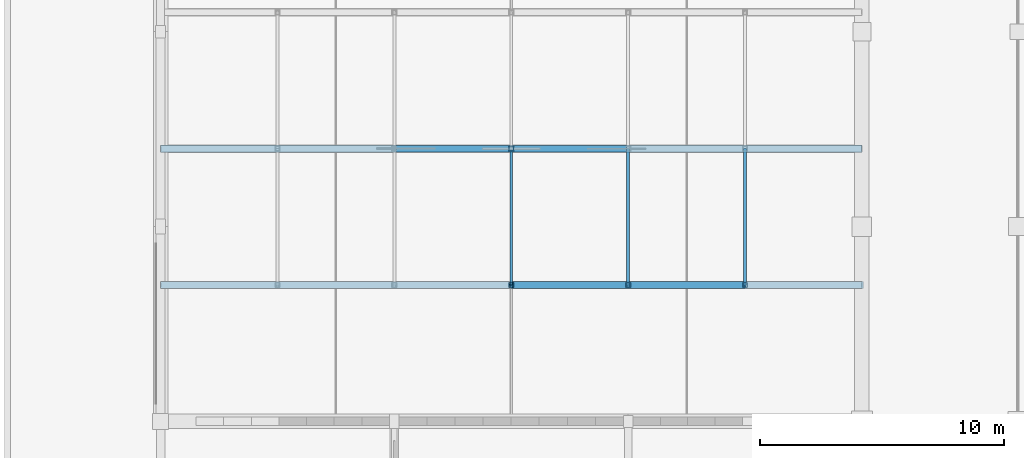
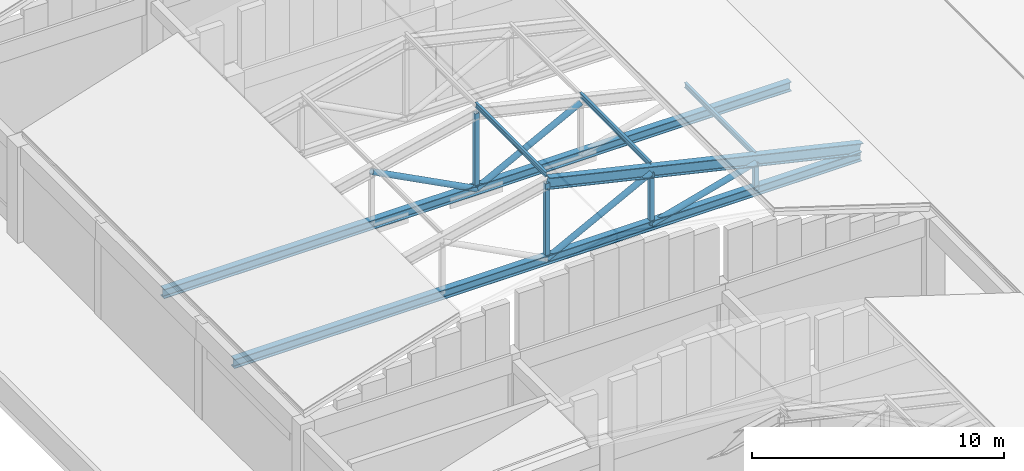
# One storey, part 7 of 61: 14 members.
"""IFC4 building model written with IfcOpenShell, lengths in metres."""

from ifc_helpers import new_model, si_unit, direction, frame, origin, origin_2d, place, context, subcontext, project, spatial, hollow_rectangle, hollow_circle, i_section, extrude, material, material_profile, profile_set, type_object, element, save


model = new_model("IFC4")

# Units and contexts
model_context = context("Model", 3, precision=1e-05, world=origin(), true_north=direction((0.0, 1.0)))
body_context = subcontext(model_context, "Body", "Model", "MODEL_VIEW")
ifc_project = project(units=[si_unit("LENGTHUNIT", "METRE"), si_unit("AREAUNIT", "SQUARE_METRE"), si_unit("VOLUMEUNIT", "CUBIC_METRE"), si_unit("PLANEANGLEUNIT", "RADIAN"), si_unit("MASSUNIT", "GRAM", prefix="KILO")], contexts=[model_context])

# Site, building, storey
site_placement = place(None, origin())
site = spatial("IfcSite", under=ifc_project, at=site_placement, CompositionType="ELEMENT")
building_placement = place(site_placement, origin())
building = spatial("IfcBuilding", under=site, at=building_placement, Name="Vellmiral Cinema and Media Centre", CompositionType="ELEMENT")
storey_placement = place(building_placement, frame((0.0, 0.0, 10.800048828125)))
storey = spatial("IfcBuildingStorey", under=building, at=storey_placement, Name="L02", CompositionType="ELEMENT", Elevation=10.800048828125)

# Members
ifc_material_1 = material(Name="Steel S355", Category="steel")
ifc_material_profile_1 = material_profile(ifc_material_1, i_section(OverallWidth=0.1201171875, OverallDepth=0.239990234375, WebThickness=0.006103515625, FlangeThickness=0.009765625, FilletRadius=0.014892578125, at=origin_2d()), Name="IPE 240")
ifc_profile_set_1 = profile_set([ifc_material_profile_1], Name="Steel S355")
member_type_1 = type_object("IfcMemberType", Name="PRL-IPE240", PredefinedType="PURLIN", material=ifc_profile_set_1)
for number, where, z_axis, x_axis, name in (
    (1, (20.800048828125, 48.800048828125, 8.2353515625), (0.0, 1.0, 0.0), (-1.0, 0.0, 0.0), "Roof Purlin 2.3.1"),
    (2, (25.60009765625, 48.800048828125, 7.038330078125), (0.0, 1.0, 0.0), (-1.0, 0.0, 0.0), "Roof Purlin 2.4.1"),
    (3, (30.39990234375, 48.800048828125, 5.841796875), (0.0, 1.0, 0.0), (-1.0, 0.0, 0.0), "Roof Purlin 2.5.1"),
):
    element("IfcMember", number, at=place(storey_placement, frame(where, z_axis=z_axis, x_axis=x_axis)), inside=storey, type_object=member_type_1, Name=name, PredefinedType="PURLIN", context=body_context, shape_type="SweptSolid", body=[
        extrude(i_section(OverallWidth=0.1201171875, OverallDepth=0.239990234375, WebThickness=0.006103515625, FlangeThickness=0.009765625, FilletRadius=0.014892578125, at=origin_2d()), origin(), (0.0, 0.0, 1.0), 5.599853515625),
    ])
ifc_material_2 = material(Name="Steel S355", Category="steel")
ifc_material_profile_2 = material_profile(ifc_material_2, hollow_circle(Radius=0.136474609375, WallThickness=0.012451171875, at=origin_2d()), Name="CHS 273.0x12.5")
ifc_profile_set_2 = profile_set([ifc_material_profile_2], Name="Steel S355")
member_type_2 = type_object("IfcMemberType", Name="TBR-CHS273", PredefinedType="BRACE", material=ifc_profile_set_2)
member_1_placement = place(storey_placement, frame((20.800048828125, 48.800048828125, 4.14990234375), z_axis=(0.886638714506, 0.0, 0.46246274438), x_axis=(0.0, 1.0, 0.0)))
element("IfcMember", 4, at=member_1_placement, inside=storey, type_object=member_type_2, Name="Roof Truss TR-02.1 Diagonal 4", PredefinedType="BRACE", context=body_context, shape_type="SweptSolid", body=[
    extrude(hollow_circle(Radius=0.136474609375, WallThickness=0.012451171875, at=origin_2d()), origin(), (0.0, 0.0, 1.0), 5.413818359375),
])
member_2_placement = place(storey_placement, frame((25.60009765625, 48.800048828125, 4.14990234375), z_axis=(0.964873596372, 0.0, 0.262714565686), x_axis=(0.0, 1.0, 0.0)))
element("IfcMember", 5, at=member_2_placement, inside=storey, type_object=member_type_2, Name="Roof Truss TR-02.1 Diagonal 5", PredefinedType="BRACE", context=body_context, shape_type="SweptSolid", body=[
    extrude(hollow_circle(Radius=0.136474609375, WallThickness=0.012451171875, at=origin_2d()), origin(), (0.0, 0.0, 1.0), 4.974609375),
])
for number, where, z_axis, x_axis, name in (
    (6, (16.0, 54.39990234375, 6.653564453125), (0.886638714506, 0.0, -0.46246274438), (0.0, 1.0, 0.0), "Roof Truss TR-02.2 Diagonal 3"),
    (7, (20.800048828125, 54.39990234375, 4.14990234375), (0.886638714506, 0.0, 0.46246274438), (0.0, 1.0, 0.0), "Roof Truss TR-02.2 Diagonal 4"),
):
    element("IfcMember", number, at=place(storey_placement, frame(where, z_axis=z_axis, x_axis=x_axis)), inside=storey, type_object=member_type_2, Name=name, PredefinedType="BRACE", context=body_context, shape_type="SweptSolid", body=[
        extrude(hollow_circle(Radius=0.136474609375, WallThickness=0.012451171875, at=origin_2d()), origin(), (0.0, 0.0, 1.0), 5.413818359375),
    ])
ifc_material_3 = material(Name="Steel S355", Category="steel")
ifc_material_profile_3 = material_profile(ifc_material_3, hollow_rectangle(XDim=0.199951171875, YDim=0.199951171875, WallThickness=0.010009765625, at=origin_2d()), Name="SHS 200x200x10.0")
ifc_profile_set_3 = profile_set([ifc_material_profile_3], Name="Steel S355")
member_type_3 = type_object("IfcMemberType", Name="TBR-SHS200", PredefinedType="BRACE", material=ifc_profile_set_3)
member_3_placement = place(storey_placement, frame((20.800048828125, 48.800048828125, 4.14990234375), z_axis=(0.0, 0.0, 1.0), x_axis=(1.0, 0.0, 0.0)))
element("IfcMember", 8, at=member_3_placement, inside=storey, type_object=member_type_3, Name="Roof Truss TR-02.1 Post 3", PredefinedType="BRACE", context=body_context, shape_type="SweptSolid", body=[
    extrude(hollow_rectangle(XDim=0.199951171875, YDim=0.199951171875, WallThickness=0.010009765625, at=origin_2d()), origin(), (0.0, 0.0, 1.0), 3.700439453125),
])
member_4_placement = place(storey_placement, frame((25.60009765625, 48.800048828125, 4.14990234375), z_axis=(0.0, 0.0, 1.0), x_axis=(1.0, 0.0, 0.0)))
element("IfcMember", 9, at=member_4_placement, inside=storey, type_object=member_type_3, Name="Roof Truss TR-02.1 Post 4", PredefinedType="BRACE", context=body_context, shape_type="SweptSolid", body=[
    extrude(hollow_rectangle(XDim=0.199951171875, YDim=0.199951171875, WallThickness=0.010009765625, at=origin_2d()), origin(), (0.0, 0.0, 1.0), 2.503662109375),
])
member_5_placement = place(storey_placement, frame((30.39990234375, 48.800048828125, 4.14990234375), z_axis=(0.0, 0.0, 1.0), x_axis=(1.0, 0.0, 0.0)))
element("IfcMember", 10, at=member_5_placement, inside=storey, type_object=member_type_3, Name="Roof Truss TR-02.1 Post 5", PredefinedType="BRACE", context=body_context, shape_type="SweptSolid", body=[
    extrude(hollow_rectangle(XDim=0.199951171875, YDim=0.199951171875, WallThickness=0.010009765625, at=origin_2d()), origin(), (0.0, 0.0, 1.0), 1.306884765625),
])
member_6_placement = place(storey_placement, frame((20.800048828125, 54.39990234375, 4.14990234375), z_axis=(0.0, 0.0, 1.0), x_axis=(1.0, 0.0, 0.0)))
element("IfcMember", 11, at=member_6_placement, inside=storey, type_object=member_type_3, Name="Roof Truss TR-02.2 Post 3", PredefinedType="BRACE", context=body_context, shape_type="SweptSolid", body=[
    extrude(hollow_rectangle(XDim=0.199951171875, YDim=0.199951171875, WallThickness=0.010009765625, at=origin_2d()), origin(), (0.0, 0.0, 1.0), 3.700439453125),
])
ifc_material_4 = material(Name="Steel S355", Category="steel")
ifc_material_profile_4 = material_profile(ifc_material_4, i_section(OverallWidth=0.300048828125, OverallDepth=0.449951171875, WebThickness=0.013916015625, FlangeThickness=0.02587890625, FilletRadius=0.027099609375, at=origin_2d()), Name="HEB 450")
ifc_profile_set_4 = profile_set([ifc_material_profile_4], Name="Steel S355")
member_type_4 = type_object("IfcMemberType", Name="TCH-HEB450", PredefinedType="CHORD", material=ifc_profile_set_4)
for number, where, z_axis, x_axis, name in (
    (12, (6.39990234375, 48.800048828125, 4.14990234375), (1.0, 0.0, 0.0), (0.0, 1.0, 0.0), "Roof Truss TR-02.1 Bottom Chord"),
    (13, (6.39990234375, 54.39990234375, 4.14990234375), (1.0, 0.0, 0.0), (0.0, 1.0, 0.0), "Roof Truss TR-02.2 Bottom Chord"),
):
    element("IfcMember", number, at=place(storey_placement, frame(where, z_axis=z_axis, x_axis=x_axis)), inside=storey, type_object=member_type_4, Name=name, PredefinedType="CHORD", context=body_context, shape_type="SweptSolid", body=[
        extrude(i_section(OverallWidth=0.300048828125, OverallDepth=0.449951171875, WebThickness=0.013916015625, FlangeThickness=0.02587890625, FilletRadius=0.027099609375, at=origin_2d()), origin(), (0.0, 0.0, 1.0), 28.800048828125),
    ])
ifc_material_5 = material(Name="Steel S355", Category="steel")
ifc_material_profile_5 = material_profile(ifc_material_5, i_section(OverallWidth=0.300048828125, OverallDepth=0.550048828125, WebThickness=0.014892578125, FlangeThickness=0.029052734375, FilletRadius=0.027099609375, at=origin_2d()), Name="HEB 550")
ifc_profile_set_5 = profile_set([ifc_material_profile_5], Name="Steel S355")
member_type_5 = type_object("IfcMemberType", Name="TCH-HEB550", PredefinedType="CHORD", material=ifc_profile_set_5)
member_7_placement = place(storey_placement, frame((20.800048828125, 48.800048828125, 7.850341796875), z_axis=(0.973908641407, 0.0, -0.226940428732), x_axis=(0.0, 1.0, 0.0)))
element("IfcMember", 14, at=member_7_placement, inside=storey, type_object=member_type_5, Name="Roof Truss TR-02.1 Top Chord E", PredefinedType="CHORD", context=body_context, shape_type="SweptSolid", body=[
    extrude(i_section(OverallWidth=0.300048828125, OverallDepth=0.550048828125, WebThickness=0.014892578125, FlangeThickness=0.029052734375, FilletRadius=0.027099609375, at=origin_2d()), origin(), (0.0, 0.0, 1.0), 14.78564453125),
])

save(model, "model.ifc")
